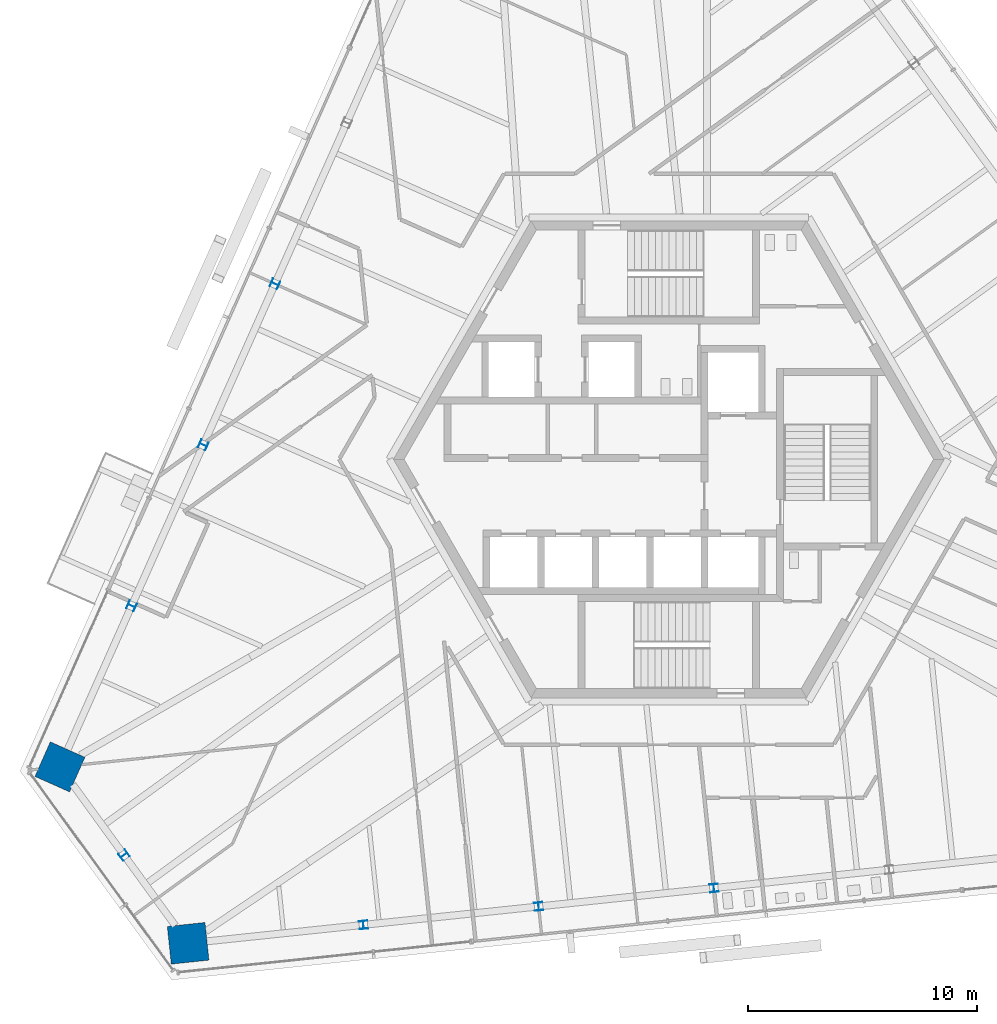
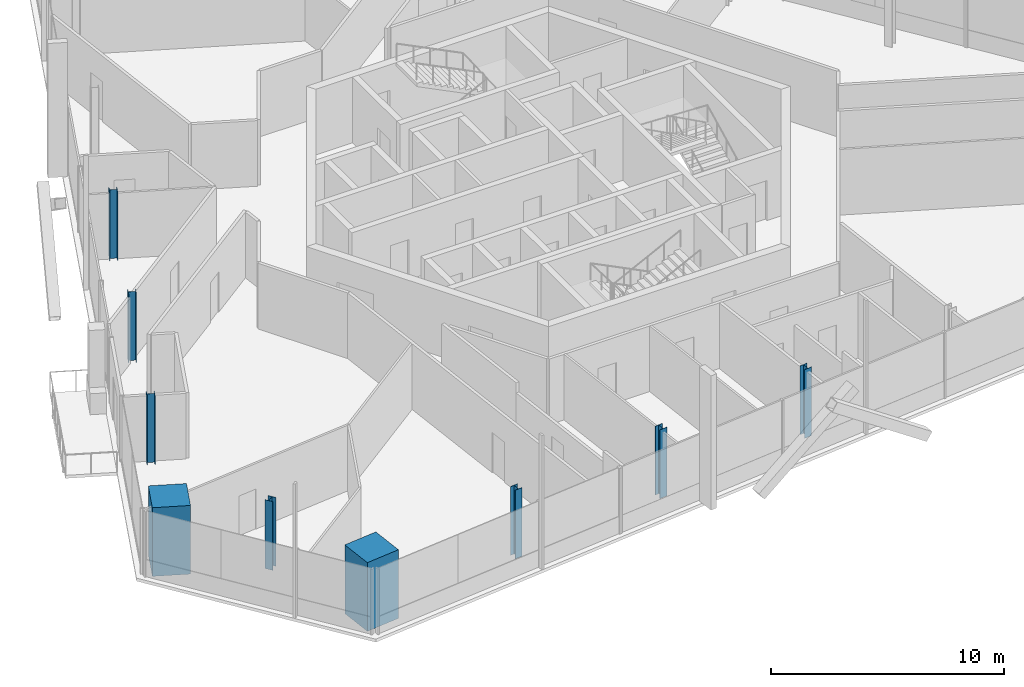
# One storey, part 1 of 20: 9 columns.
"""IFC4 building model written with IfcOpenShell, lengths in metres."""

from ifc_helpers import new_model, si_unit, direction, frame, origin, origin_2d, place, context, subcontext, project, spatial, rectangle, i_section, extrude, source, transform, mapped, material, material_profile, profile_set, type_object, element, save


model = new_model("IFC4")

# Units and contexts
model_context = context("Model", 3, precision=1e-05, world=origin(), true_north=direction((0.0, 1.0)))
body_context = subcontext(model_context, "Body", "Model", "MODEL_VIEW")
ifc_project = project(units=[si_unit("LENGTHUNIT", "METRE"), si_unit("AREAUNIT", "SQUARE_METRE"), si_unit("VOLUMEUNIT", "CUBIC_METRE"), si_unit("PLANEANGLEUNIT", "RADIAN"), si_unit("MASSUNIT", "GRAM", prefix="KILO")], contexts=[model_context])

# Site, building, storey
site_placement = place(None, origin())
site = spatial("IfcSite", under=ifc_project, at=site_placement, CompositionType="ELEMENT")
building_placement = place(site_placement, origin())
building = spatial("IfcBuilding", under=site, at=building_placement, Name="Triune Harvest Tower", CompositionType="ELEMENT")
storey_placement = place(building_placement, frame((0.0, 0.0, 234.10009765625)))
storey = spatial("IfcBuildingStorey", under=building, at=storey_placement, Name="L61", CompositionType="ELEMENT", Elevation=234.10009765625)

# Columns
ifc_material_1 = material(Name="Concrete 70 MPa", Category="concrete")
ifc_material_profile_1 = material_profile(ifc_material_1, rectangle(XDim=1.64990234375, YDim=1.64990234375, at=origin_2d()), Name="Composite 1650x1650")
ifc_profile_set_1 = profile_set([ifc_material_profile_1], Name="Concrete 70 MPa")
column_type_1 = type_object("IfcColumnType", Name="MC-6 Mega column Composite 1650x1650", PredefinedType="COLUMN", material=ifc_profile_set_1)
shared_shape_1 = source(origin(), body_context, "Body", "SweptSolid", [
    extrude(rectangle(XDim=1.64990234375, YDim=1.64990234375, at=origin_2d()), origin(), (0.0, 0.0, 1.0), 3.599853515625),
])
for number, where, z_axis, x_axis, name in (
    (1, (-26.5341796875, -13.40478515625, 0.0), (0.0, 0.0, 1.0), (-0.406738237513, -0.913544747752, 0.0), "col/L61/M14"),
    (2, (-20.9482421875, -21.09326171875, 0.0), (0.0, 0.0, 1.0), (0.99452171293, 0.104530199036, 0.0), "col/L61/M16"),
):
    element("IfcColumn", number, at=place(storey_placement, frame(where, z_axis=z_axis, x_axis=x_axis)), inside=storey, type_object=column_type_1, Name=name, PredefinedType="COLUMN", context=body_context, shape_type="MappedRepresentation", body=[
        mapped(shared_shape_1, transform((0.0, 0.0, 0.0), scale=1.0)),
    ])
ifc_material_2 = material(Name="Steel ASTM A992 Gr 50", Category="steel")
ifc_material_profile_2 = material_profile(ifc_material_2, i_section(OverallWidth=0.368408203125, OverallDepth=0.355712890625, WebThickness=0.01123046875, FlangeThickness=0.01806640625, at=origin_2d()), Name="W14x90")
ifc_profile_set_2 = profile_set([ifc_material_profile_2], Name="Steel ASTM A992 Gr 50")
column_type_2 = type_object("IfcColumnType", Name="PC-6 Perimeter column W14x90", PredefinedType="COLUMN", material=ifc_profile_set_2)
shared_shape_2 = source(origin(), body_context, "Body", "SweptSolid", [
    extrude(i_section(OverallWidth=0.368408203125, OverallDepth=0.355712890625, WebThickness=0.01123046875, FlangeThickness=0.01806640625, at=origin_2d()), origin(), (0.0, 0.0, 1.0), 3.599853515625),
])
for number, where, z_axis, x_axis, name in (
    (3, (-17.163818359375, 7.641845703125, 0.0), (0.0, 0.0, 1.0), (-0.406738237513, -0.913544747752, 0.0), "col/L61/P11"),
    (4, (-20.287109375, 0.626220703125, 0.0), (0.0, 0.0, 1.0), (-0.406738237513, -0.913544747752, 0.0), "col/L61/P12"),
    (5, (-23.41064453125, -6.389404296875, 0.0), (0.0, 0.0, 1.0), (-0.406738237513, -0.913544747752, 0.0), "col/L61/P13"),
    (6, (-23.7412109375, -17.2490234375, 1.199951171875), (0.0, 0.0, 1.0), (0.587785252292, -0.809016994375, 0.0), "col/L61/P15"),
    (7, (-13.310791015625, -20.29052734375, 0.0), (0.0, 0.0, 1.0), (0.99452171293, 0.104530199036, 0.0), "col/L61/P17"),
    (8, (-5.673583984375, -19.48779296875, 0.0), (0.0, 0.0, 1.0), (0.99452171293, 0.104530199036, 0.0), "col/L61/P18"),
    (9, (1.9638671875, -18.68505859375, 0.0), (0.0, 0.0, 1.0), (0.99452171293, 0.104530199036, 0.0), "col/L61/P19"),
):
    element("IfcColumn", number, at=place(storey_placement, frame(where, z_axis=z_axis, x_axis=x_axis)), inside=storey, type_object=column_type_2, Name=name, PredefinedType="COLUMN", context=body_context, shape_type="MappedRepresentation", body=[
        mapped(shared_shape_2, transform((0.0, 0.0, 0.0), scale=1.0)),
    ])

save(model, "model.ifc")
